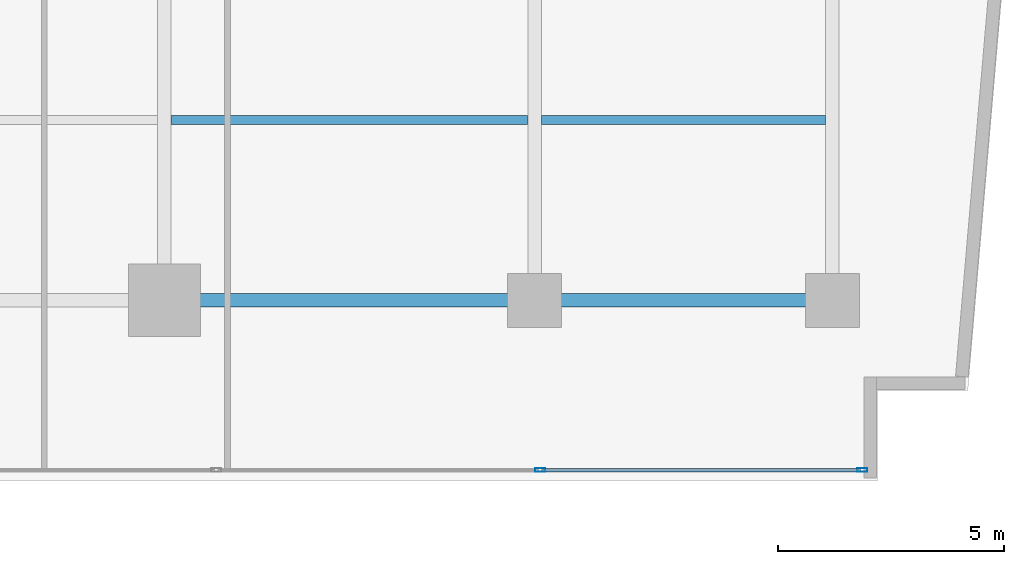
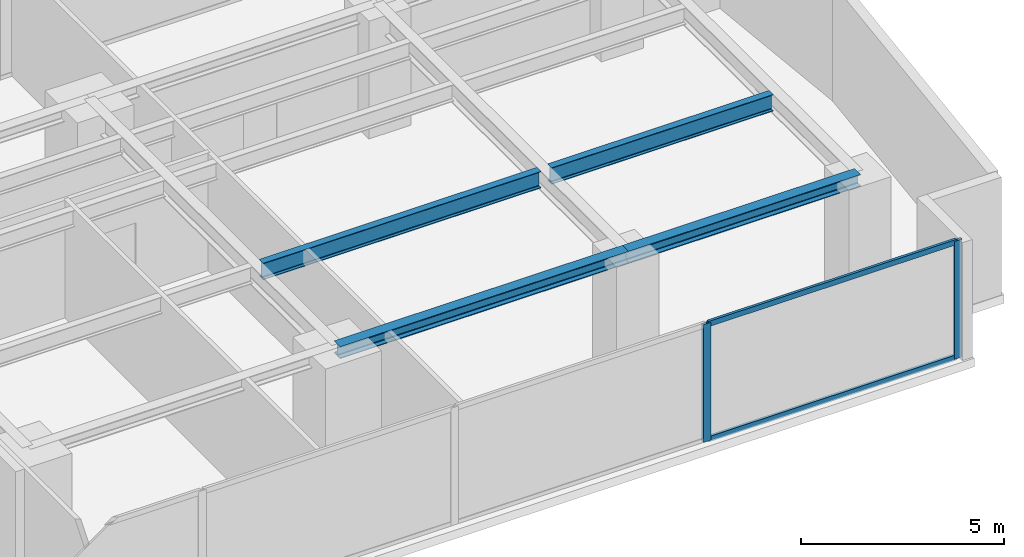
# One storey, part 11 of 31: 4 beams, 4 members, 1 element without a shape of its own.
"""IFC4 building model written with IfcOpenShell, lengths in metres."""

from ifc_helpers import new_model, si_unit, direction, frame, origin, origin_with_axes, origin_2d, place, context, subcontext, project, spatial, hollow_rectangle, i_section, extrude, source, transform, mapped, material, layer, layer_set, material_profile, profile_set, type_object, element, aggregate, save


model = new_model("IFC4")

# Units and contexts
model_context = context("Model", 3, precision=1e-05, world=origin(), true_north=direction((0.0, 1.0)))
body_context = subcontext(model_context, "Body", "Model", "MODEL_VIEW")
ifc_project = project(units=[si_unit("LENGTHUNIT", "METRE"), si_unit("AREAUNIT", "SQUARE_METRE"), si_unit("VOLUMEUNIT", "CUBIC_METRE"), si_unit("PLANEANGLEUNIT", "RADIAN"), si_unit("MASSUNIT", "GRAM", prefix="KILO")], contexts=[model_context])

# Site, building, storey
site_placement = place(None, origin())
site = spatial("IfcSite", under=ifc_project, at=site_placement, CompositionType="ELEMENT")
building_placement = place(site_placement, origin())
building = spatial("IfcBuilding", under=site, at=building_placement, Name="Kolvaren Waterfront Exchange", CompositionType="ELEMENT")
storey_placement = place(building_placement, frame((0.0, 0.0, 67.60009765625)))
storey = spatial("IfcBuildingStorey", under=building, at=storey_placement, Name="L17", CompositionType="ELEMENT", Elevation=67.60009765625)

# Beams
ifc_material_1 = material(Name="Steel S355", Category="steel")
ifc_material_profile_1 = material_profile(ifc_material_1, i_section(OverallWidth=0.300048828125, OverallDepth=0.360107421875, WebThickness=0.012451171875, FlangeThickness=0.0224609375, FilletRadius=0.027099609375, at=origin_2d()), Name="HEB360")
ifc_profile_set_1 = profile_set([ifc_material_profile_1], Name="Steel S355")
beam_type_1 = type_object("IfcBeamType", Name="STR-BM-HEB360", PredefinedType="SPANDREL", material=ifc_profile_set_1)
beam_1_placement = place(storey_placement, frame((45.60009765625, 5.199951171875, 3.35986328125), z_axis=(1.0, 0.0, 0.0), x_axis=(0.0, 1.0, 0.0)))
element("IfcBeam", 1, at=beam_1_placement, inside=storey, type_object=beam_type_1, Name="L17 east-arm spandrel S4", PredefinedType="SPANDREL", context=body_context, shape_type="SweptSolid", body=[
    extrude(i_section(OverallWidth=0.300048828125, OverallDepth=0.360107421875, WebThickness=0.012451171875, FlangeThickness=0.0224609375, FilletRadius=0.027099609375, at=origin_2d()), origin(), (0.0, 0.0, 1.0), 8.199951171875),
])
beam_2_placement = place(storey_placement, frame((53.800048828125, 5.199951171875, 3.35986328125), z_axis=(1.0, 0.0, 0.0), x_axis=(0.0, 1.0, 0.0)))
element("IfcBeam", 2, at=beam_2_placement, inside=storey, type_object=beam_type_1, Name="L17 east-arm spandrel S5", PredefinedType="SPANDREL", context=body_context, shape_type="SweptSolid", body=[
    extrude(i_section(OverallWidth=0.300048828125, OverallDepth=0.360107421875, WebThickness=0.012451171875, FlangeThickness=0.0224609375, FilletRadius=0.027099609375, at=origin_2d()), origin(), (0.0, 0.0, 1.0), 6.599853515625),
])
ifc_material_profile_2 = material_profile(ifc_material_1, i_section(OverallWidth=0.199951171875, OverallDepth=0.5, WebThickness=0.01025390625, FlangeThickness=0.01611328125, FilletRadius=0.02099609375, at=origin_2d()), Name="IPE500")
ifc_profile_set_2 = profile_set([ifc_material_profile_2], Name="Steel S355")
beam_type_2 = type_object("IfcBeamType", Name="STR-BM-IPE500", PredefinedType="JOIST", material=ifc_profile_set_2)
beam_3_placement = place(storey_placement, frame((45.751953125, 9.199951171875, 3.289794921875), z_axis=(1.0, 0.0, 0.0), x_axis=(0.0, 1.0, 0.0)))
element("IfcBeam", 3, at=beam_3_placement, inside=storey, type_object=beam_type_2, Name="L17 east-arm composite joist 4B", PredefinedType="JOIST", context=body_context, shape_type="SweptSolid", body=[
    extrude(i_section(OverallWidth=0.199951171875, OverallDepth=0.5, WebThickness=0.01025390625, FlangeThickness=0.01611328125, FilletRadius=0.02099609375, at=origin_2d()), origin(), (0.0, 0.0, 1.0), 7.89599609375),
])
beam_4_placement = place(storey_placement, frame((53.951904296875, 9.199951171875, 3.289794921875), z_axis=(1.0, 0.0, 0.0), x_axis=(0.0, 1.0, 0.0)))
element("IfcBeam", 4, at=beam_4_placement, inside=storey, type_object=beam_type_2, Name="L17 east-arm composite joist 5B", PredefinedType="JOIST", context=body_context, shape_type="SweptSolid", body=[
    extrude(i_section(OverallWidth=0.199951171875, OverallDepth=0.5, WebThickness=0.01025390625, FlangeThickness=0.01611328125, FilletRadius=0.02099609375, at=origin_2d()), origin(), (0.0, 0.0, 1.0), 6.296142578125),
])

# Curtain wall, members
ifc_material_2 = material(Name="Anodised bronze aluminium 6063-T6", Category="aluminium")
ifc_layer = layer(ifc_material_2, 0.219970703125, Name="Anodised bronze aluminium 6063-T6")
ifc_layer_set = layer_set([ifc_layer], Name="Anodised bronze aluminium 6063-T6")
curtain_wall_type = type_object("IfcCurtainWallType", Name="ARC-CW-SYS1", PredefinedType="USERDEFINED", material=ifc_layer_set)
curtain_wall_placement = place(storey_placement, origin())
curtain_wall = element("IfcCurtainWall", 5, at=curtain_wall_placement, inside=storey, type_object=curtain_wall_type, Name="L17 stick curtain wall CW1 (CW-L17-S)", ObjectType="STICK CURTAIN WALL", PredefinedType="USERDEFINED")
ifc_material_3 = material(Name="Anodised aluminium 6063-T6", Category="aluminium")
ifc_material_profile_3 = material_profile(ifc_material_3, hollow_rectangle(XDim=0.080078125, YDim=0.219970703125, WallThickness=0.0048828125, at=origin_2d()), Name="ALU-MUL-220x80x5")
ifc_profile_set_3 = profile_set([ifc_material_profile_3], Name="Anodised aluminium 6063-T6")
member_type_1 = type_object("IfcMemberType", Name="ARC-CWM-220", PredefinedType="MULLION", material=ifc_profile_set_3)
shared_shape_1 = source(origin_with_axes(), body_context, "Body", "SweptSolid", [
    extrude(hollow_rectangle(XDim=0.080078125, YDim=0.219970703125, WallThickness=0.0048828125, at=origin_2d()), origin(), (0.0, 0.0, 1.0), 3.539794921875),
])
member_1_placement = place(storey_placement, frame((53.925048828125, 1.43994140625, 0.0), z_axis=(0.0, 0.0, 1.0), x_axis=(0.0, 1.0, 0.0)))
member_1 = element("IfcMember", 6, at=member_1_placement, type_object=member_type_1, Name="CW1 mullion 8", PredefinedType="MULLION", context=body_context, shape_type="MappedRepresentation", body=[
    mapped(shared_shape_1, transform((0.0, 0.0, 0.0), x_axis=(1.0, 0.0, 0.0), y_axis=(0.0, 1.0, 0.0), z_axis=(0.0, 0.0, 1.0), scale=1.0)),
])
member_2_placement = place(storey_placement, frame((61.06005859375, 1.43994140625, 0.0), z_axis=(0.0, 0.0, 1.0), x_axis=(0.0, 1.0, 0.0)))
member_2 = element("IfcMember", 7, at=member_2_placement, type_object=member_type_1, Name="CW1 mullion 9", PredefinedType="MULLION", context=body_context, shape_type="MappedRepresentation", body=[
    mapped(shared_shape_1, transform((0.0, 0.0, 0.0), x_axis=(1.0, 0.0, 0.0), y_axis=(0.0, 1.0, 0.0), z_axis=(0.0, 0.0, 1.0), scale=1.0)),
])
ifc_material_profile_4 = material_profile(ifc_material_3, hollow_rectangle(XDim=0.074951171875, YDim=0.159912109375, WallThickness=0.00439453125, at=origin_2d()), Name="ALU-TRN-160x75x4.5")
ifc_profile_set_4 = profile_set([ifc_material_profile_4], Name="Anodised aluminium 6063-T6")
member_type_2 = type_object("IfcMemberType", Name="ARC-CWT-160", PredefinedType="USERDEFINED", material=ifc_profile_set_4)
shared_shape_2 = source(origin_with_axes(), body_context, "Body", "SweptSolid", [
    extrude(hollow_rectangle(XDim=0.074951171875, YDim=0.159912109375, WallThickness=0.00439453125, at=origin_2d()), origin(), (0.0, 0.0, 1.0), 7.054931640625),
])
member_3_placement = place(storey_placement, frame((53.965087890625, 1.43994140625, 0.037353515625), z_axis=(1.0, 0.0, 0.0), x_axis=(0.0, 1.0, 0.0)))
member_3 = element("IfcMember", 8, at=member_3_placement, type_object=member_type_2, Name="CW1 transom 8.1", ObjectType="TRANSOM", PredefinedType="USERDEFINED", context=body_context, shape_type="MappedRepresentation", body=[
    mapped(shared_shape_2, transform((0.0, 0.0, 0.0), x_axis=(1.0, 0.0, 0.0), y_axis=(0.0, 1.0, 0.0), z_axis=(0.0, 0.0, 1.0), scale=1.0)),
])
member_4_placement = place(storey_placement, frame((53.965087890625, 1.43994140625, 3.50244140625), z_axis=(1.0, 0.0, 0.0), x_axis=(0.0, 1.0, 0.0)))
member_4 = element("IfcMember", 9, at=member_4_placement, type_object=member_type_2, Name="CW1 transom 8.2", ObjectType="TRANSOM", PredefinedType="USERDEFINED", context=body_context, shape_type="MappedRepresentation", body=[
    mapped(shared_shape_2, transform((0.0, 0.0, 0.0), x_axis=(1.0, 0.0, 0.0), y_axis=(0.0, 1.0, 0.0), z_axis=(0.0, 0.0, 1.0), scale=1.0)),
])
aggregate(curtain_wall, [member_1, member_2, member_3, member_4])

save(model, "model.ifc")
